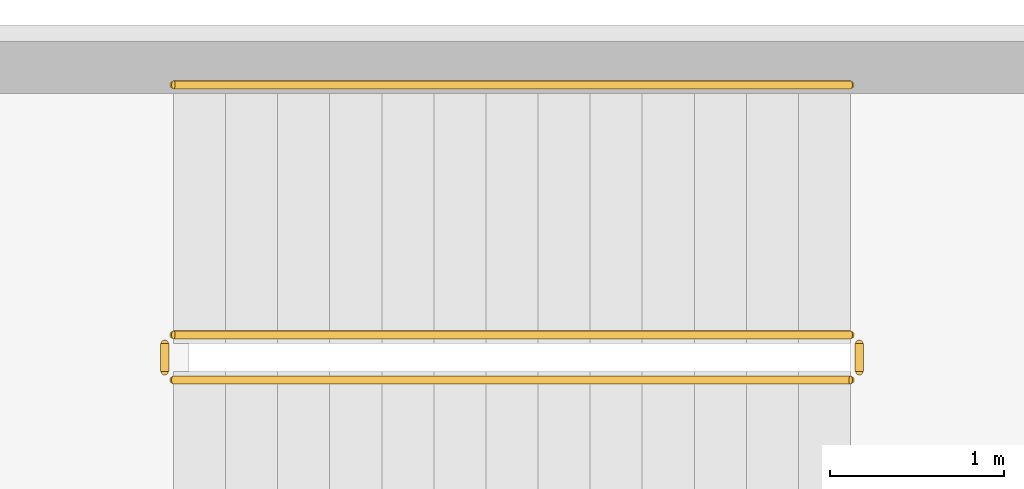
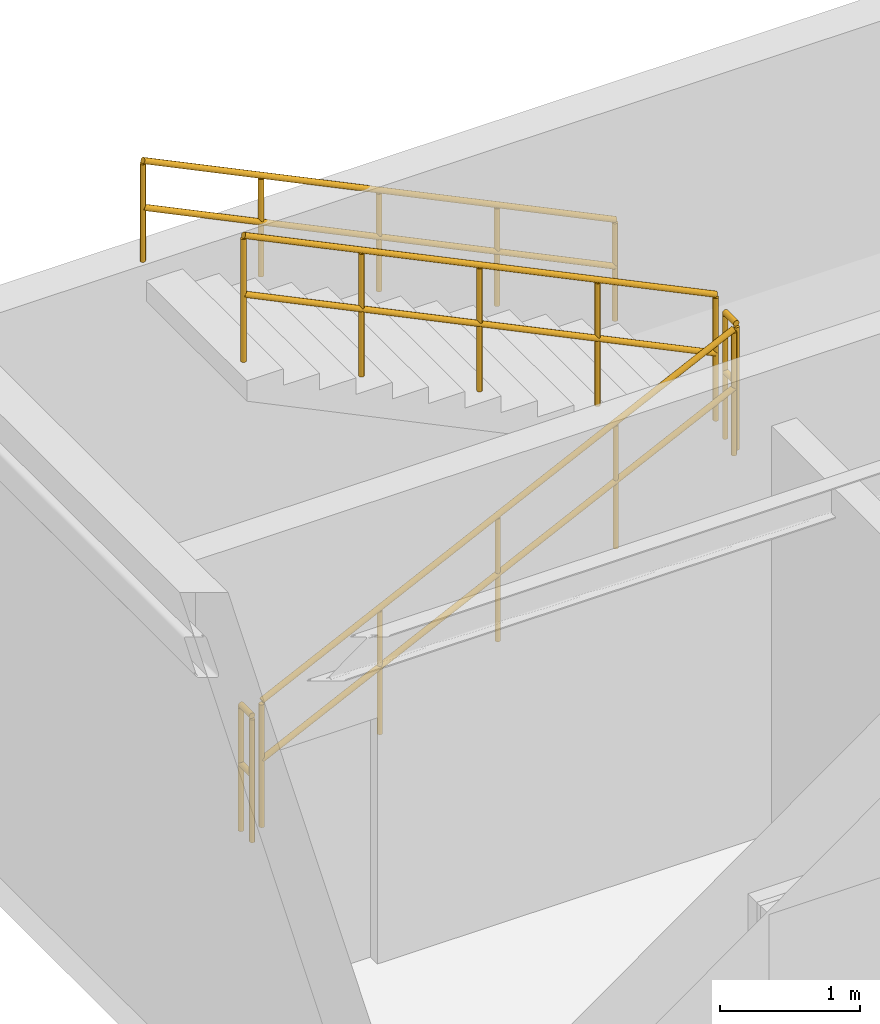
# One storey, part 56 of 58: 5 railings.
"""IFC4 building model written with IfcOpenShell, lengths in metres."""

from ifc_helpers import new_model, si_unit, derived_unit, direction, frame, origin, origin_2d, place, context, subcontext, project, spatial, circle, extrude, material, type_object, element, save


model = new_model("IFC4")

# Units and contexts
model_context = context("Model", 3, precision=1e-05, world=origin(), true_north=direction((0.0, 1.0)))
body_context = subcontext(model_context, "Body", "Model", "MODEL_VIEW")
ifc_project = project(units=[si_unit("LENGTHUNIT", "METRE"), si_unit("AREAUNIT", "SQUARE_METRE"), si_unit("VOLUMEUNIT", "CUBIC_METRE"), si_unit("PLANEANGLEUNIT", "RADIAN"), si_unit("MASSUNIT", "GRAM", prefix="KILO"), derived_unit("THERMALTRANSMITTANCEUNIT", [(si_unit("POWERUNIT", "WATT"), 1), (si_unit("AREAUNIT", "SQUARE_METRE"), -1), (si_unit("THERMODYNAMICTEMPERATUREUNIT", "KELVIN"), -1)])], contexts=[model_context])

# Site, building, storey
site_placement = place(None, origin())
site = spatial("IfcSite", under=ifc_project, at=site_placement, CompositionType="ELEMENT")
building_placement = place(site_placement, origin())
building = spatial("IfcBuilding", under=site, at=building_placement, Name="Yasenodar Specialist Clinic", CompositionType="ELEMENT")
storey_placement = place(building_placement, frame((0.0, 0.0, 17.25)))
storey = spatial("IfcBuildingStorey", under=building, at=storey_placement, Name="L04", CompositionType="ELEMENT", Elevation=17.25)

# Railings
ifc_material_1 = material(Name="Steel S355 Painted Stair Guardrail", Category="steel")
railing_type_1 = type_object("IfcRailingType", Name="RL-ST-GRD", PredefinedType="GUARDRAIL", material=ifc_material_1)
railing_1_placement = place(storey_placement, frame((1.840087890625, 102.449951171875, 0.14453125)))
element("IfcRailing", 1, at=railing_1_placement, inside=storey, type_object=railing_type_1, Name="L04 ST-02 stair guard 1", PredefinedType="GUARDRAIL", context=body_context, shape_type="SweptSolid", body=[
    extrude(circle(Radius=0.02392578125, at=origin_2d()), frame((0.0, 0.0, 1.09619140625), z_axis=(0.900763166376, 0.0, 0.434310623978), x_axis=(0.0, 1.0, 0.0)), (0.0, 0.0, 1.0), 4.32958984375),
    extrude(circle(Radius=0.02392578125, at=origin_2d()), frame((0.0, 0.0, 0.58251953125), z_axis=(0.900763166376, 0.0, 0.434310623978), x_axis=(0.0, 1.0, 0.0)), (0.0, 0.0, 1.0), 4.32958984375),
    extrude(circle(Radius=0.02099609375, at=origin_2d()), origin(), (0.0, 0.0, 1.0), 1.072021484375),
    extrude(circle(Radius=0.02099609375, at=origin_2d()), frame((0.97509765625, 0.0, 0.47021484375)), (0.0, 0.0, 1.0), 1.072021484375),
    extrude(circle(Radius=0.02099609375, at=origin_2d()), frame((1.949951171875, 0.0, 0.940185546875)), (0.0, 0.0, 1.0), 1.072021484375),
    extrude(circle(Radius=0.02099609375, at=origin_2d()), frame((2.9248046875, 0.0, 1.41015625)), (0.0, 0.0, 1.0), 1.072021484375),
    extrude(circle(Radius=0.02099609375, at=origin_2d()), frame((3.89990234375, 0.0, 1.88037109375)), (0.0, 0.0, 1.0), 1.072021484375),
])
railing_2_placement = place(storey_placement, frame((5.7900390625, 102.5, 2.02490234375)))
element("IfcRailing", 2, at=railing_2_placement, inside=storey, type_object=railing_type_1, Name="L04 ST-02 stair guard 2", PredefinedType="GUARDRAIL", context=body_context, shape_type="SweptSolid", body=[
    extrude(circle(Radius=0.02392578125, at=origin_2d()), frame((0.0, 0.0, 1.09619140625), z_axis=(0.0, 1.0, 0.0), x_axis=(-1.0, 0.0, 0.0)), (0.0, 0.0, 1.0), 0.159912109375),
    extrude(circle(Radius=0.02392578125, at=origin_2d()), frame((0.0, 0.0, 0.58251953125), z_axis=(0.0, 1.0, 0.0), x_axis=(-1.0, 0.0, 0.0)), (0.0, 0.0, 1.0), 0.159912109375),
    extrude(circle(Radius=0.02099609375, at=origin_2d()), origin(), (0.0, 0.0, 1.0), 1.072021484375),
    extrude(circle(Radius=0.02099609375, at=origin_2d()), frame((0.0, 0.159912109375, 0.0)), (0.0, 0.0, 1.0), 1.072021484375),
])
railing_3_placement = place(storey_placement, frame((5.739990234375, 102.7099609375, 2.169677734375)))
element("IfcRailing", 3, at=railing_3_placement, inside=storey, type_object=railing_type_1, Name="L04 ST-02 stair guard 3", PredefinedType="GUARDRAIL", context=body_context, shape_type="SweptSolid", body=[
    extrude(circle(Radius=0.02392578125, at=origin_2d()), frame((0.0, 0.0, 1.09619140625), z_axis=(-0.900763166376, 0.0, 0.434310623978), x_axis=(0.0, -1.0, 0.0)), (0.0, 0.0, 1.0), 4.32958984375),
    extrude(circle(Radius=0.02392578125, at=origin_2d()), frame((0.0, 0.0, 0.58251953125), z_axis=(-0.900763166376, 0.0, 0.434310623978), x_axis=(0.0, -1.0, 0.0)), (0.0, 0.0, 1.0), 4.32958984375),
    extrude(circle(Radius=0.02099609375, at=origin_2d()), origin(), (0.0, 0.0, 1.0), 1.072021484375),
    extrude(circle(Radius=0.02099609375, at=origin_2d()), frame((-0.97509765625, 0.0, 0.47021484375)), (0.0, 0.0, 1.0), 1.072021484375),
    extrude(circle(Radius=0.02099609375, at=origin_2d()), frame((-1.949951171875, 0.0, 0.940185546875)), (0.0, 0.0, 1.0), 1.072021484375),
    extrude(circle(Radius=0.02099609375, at=origin_2d()), frame((-2.9248046875, 0.0, 1.41015625)), (0.0, 0.0, 1.0), 1.072021484375),
    extrude(circle(Radius=0.02099609375, at=origin_2d()), frame((-3.89990234375, 0.0, 1.88037109375)), (0.0, 0.0, 1.0), 1.072021484375),
])
railing_4_placement = place(storey_placement, frame((1.7900390625, 102.5, 0.0)))
element("IfcRailing", 4, at=railing_4_placement, inside=storey, type_object=railing_type_1, Name="L04 ST-02 stair guard 4", PredefinedType="GUARDRAIL", context=body_context, shape_type="SweptSolid", body=[
    extrude(circle(Radius=0.02392578125, at=origin_2d()), frame((0.0, 0.0, 1.09619140625), z_axis=(0.0, 1.0, 0.0), x_axis=(-1.0, 0.0, 0.0)), (0.0, 0.0, 1.0), 0.159912109375),
    extrude(circle(Radius=0.02392578125, at=origin_2d()), frame((0.0, 0.0, 0.58251953125), z_axis=(0.0, 1.0, 0.0), x_axis=(-1.0, 0.0, 0.0)), (0.0, 0.0, 1.0), 0.159912109375),
    extrude(circle(Radius=0.02099609375, at=origin_2d()), origin(), (0.0, 0.0, 1.0), 1.072021484375),
    extrude(circle(Radius=0.02099609375, at=origin_2d()), frame((0.0, 0.159912109375, 0.0)), (0.0, 0.0, 1.0), 1.072021484375),
])
ifc_material_2 = material(Name="Brushed Stainless Steel Handrail", Category="steel")
railing_type_2 = type_object("IfcRailingType", Name="RL-ST-HND", PredefinedType="HANDRAIL", material=ifc_material_2)
railing_5_placement = place(storey_placement, frame((5.739990234375, 104.14990234375, 2.169677734375)))
element("IfcRailing", 5, at=railing_5_placement, inside=storey, type_object=railing_type_2, Name="L04 ST-02 stair handrail 2", PredefinedType="HANDRAIL", context=body_context, shape_type="SweptSolid", body=[
    extrude(circle(Radius=0.02392578125, at=origin_2d()), frame((0.0, 0.0, 0.8759765625), z_axis=(-0.900763166376, 0.0, 0.434310623978), x_axis=(0.0, -1.0, 0.0)), (0.0, 0.0, 1.0), 4.32958984375),
    extrude(circle(Radius=0.02392578125, at=origin_2d()), frame((0.0, 0.0, 0.468017578125), z_axis=(-0.900763166376, 0.0, 0.434310623978), x_axis=(0.0, -1.0, 0.0)), (0.0, 0.0, 1.0), 4.32958984375),
    extrude(circle(Radius=0.02099609375, at=origin_2d()), origin(), (0.0, 0.0, 1.0), 0.851806640625),
    extrude(circle(Radius=0.02099609375, at=origin_2d()), frame((-0.97509765625, 0.0, 0.47021484375)), (0.0, 0.0, 1.0), 0.851806640625),
    extrude(circle(Radius=0.02099609375, at=origin_2d()), frame((-1.949951171875, 0.0, 0.940185546875)), (0.0, 0.0, 1.0), 0.851806640625),
    extrude(circle(Radius=0.02099609375, at=origin_2d()), frame((-2.9248046875, 0.0, 1.41015625)), (0.0, 0.0, 1.0), 0.851806640625),
    extrude(circle(Radius=0.02099609375, at=origin_2d()), frame((-3.89990234375, 0.0, 1.88037109375)), (0.0, 0.0, 1.0), 0.851806640625),
])

save(model, "model.ifc")
